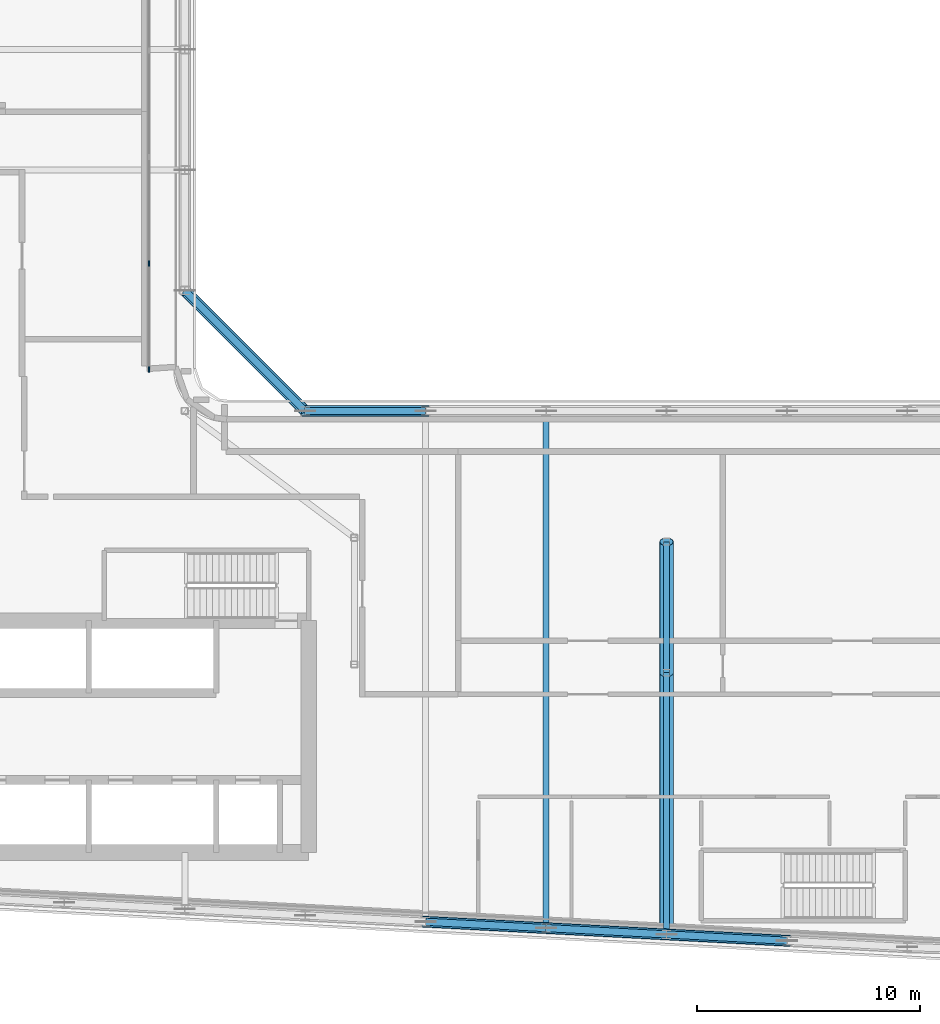
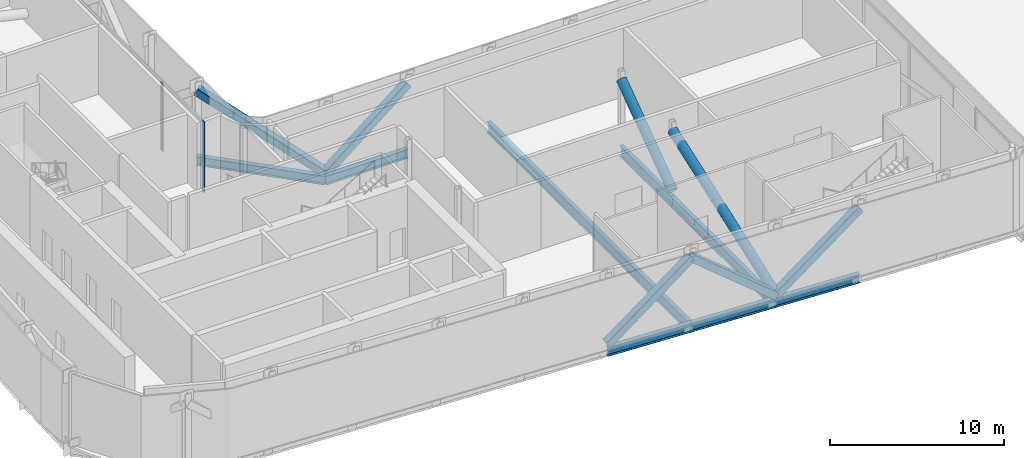
# One storey, part 4 of 23: 9 members, 8 beams, 1 element without a shape of its own.
"""IFC4 building model written with IfcOpenShell, lengths in metres."""

from ifc_helpers import new_model, si_unit, direction, frame, origin, origin_2d, place, context, subcontext, project, spatial, rectangle, hollow_rectangle, hollow_circle, i_section, extrude, material, layer, layer_set, material_profile, profile_set, type_object, element, aggregate, save


model = new_model("IFC4")

# Units and contexts
model_context = context("Model", 3, precision=1e-05, world=origin(), true_north=direction((0.0, 1.0)))
body_context = subcontext(model_context, "Body", "Model", "MODEL_VIEW")
ifc_project = project(units=[si_unit("LENGTHUNIT", "METRE"), si_unit("AREAUNIT", "SQUARE_METRE"), si_unit("VOLUMEUNIT", "CUBIC_METRE"), si_unit("PLANEANGLEUNIT", "RADIAN"), si_unit("MASSUNIT", "GRAM", prefix="KILO")], contexts=[model_context])

# Site, building, storey
site_placement = place(None, origin())
site = spatial("IfcSite", under=ifc_project, at=site_placement, CompositionType="ELEMENT")
building_placement = place(site_placement, origin())
building = spatial("IfcBuilding", under=site, at=building_placement, Name="Kheshtan School and Residences Tower", CompositionType="ELEMENT")
storey_placement = place(building_placement, frame((0.0, 0.0, 211.10009765625)))
storey = spatial("IfcBuildingStorey", under=building, at=storey_placement, Name="L49", CompositionType="ELEMENT", Elevation=211.10009765625)

# Beams
ifc_material_1 = material(Name="Steel ASTM A992 Grade 50", Category="steel")
ifc_material_profile_1 = material_profile(ifc_material_1, i_section(OverallWidth=0.264892578125, OverallDepth=0.7529296875, WebThickness=0.01318359375, FlangeThickness=0.01708984375, FilletRadius=0.015380859375, at=origin_2d()), Name="W760x147")
ifc_profile_set_1 = profile_set([ifc_material_profile_1], Name="Steel ASTM A992 Grade 50")
beam_type_1 = type_object("IfcBeamType", Name="Beam FB7 W760x147 ASTM A992 Grade 50", PredefinedType="BEAM", material=ifc_profile_set_1)
beam_1_placement = place(storey_placement, frame((63.800048828125, 45.60009765625, -0.526611328125), z_axis=(0.0, -1.0, 0.0), x_axis=(1.0, 0.0, 0.0)))
element("IfcBeam", 1, at=beam_1_placement, inside=storey, type_object=beam_type_1, Name="Floor beam C063", PredefinedType="BEAM", context=body_context, shape_type="SweptSolid", body=[
    extrude(i_section(OverallWidth=0.264892578125, OverallDepth=0.7529296875, WebThickness=0.01318359375, FlangeThickness=0.01708984375, FilletRadius=0.015380859375, at=origin_2d()), origin(), (0.0, 0.0, 1.0), 23.189208984375),
])
beam_2_placement = place(storey_placement, frame((69.199951171875, 22.126953125, -0.526611328125), z_axis=(0.0, 1.0, 0.0), x_axis=(-1.0, 0.0, 0.0)))
element("IfcBeam", 2, at=beam_2_placement, inside=storey, type_object=beam_type_1, Name="Floor beam C014", PredefinedType="BEAM", context=body_context, shape_type="SweptSolid", body=[
    extrude(i_section(OverallWidth=0.264892578125, OverallDepth=0.7529296875, WebThickness=0.01318359375, FlangeThickness=0.01708984375, FilletRadius=0.015380859375, at=origin_2d()), origin(), (0.0, 0.0, 1.0), 11.736083984375),
])
beam_3_placement = place(storey_placement, frame((69.199951171875, 33.863037109375, -0.526611328125), z_axis=(0.0, 1.0, 0.0), x_axis=(-1.0, 0.0, 0.0)))
element("IfcBeam", 3, at=beam_3_placement, inside=storey, type_object=beam_type_1, Name="Floor beam IC", PredefinedType="BEAM", context=body_context, shape_type="SweptSolid", body=[
    extrude(i_section(OverallWidth=0.264892578125, OverallDepth=0.7529296875, WebThickness=0.01318359375, FlangeThickness=0.01708984375, FilletRadius=0.015380859375, at=origin_2d()), origin(), (0.0, 0.0, 1.0), 5.868896484375),
])
ifc_material_profile_2 = material_profile(ifc_material_1, i_section(OverallWidth=0.324951171875, OverallDepth=0.615966796875, WebThickness=0.013916015625, FlangeThickness=0.021484375, FilletRadius=0.0185546875, at=origin_2d()), Name="W610x174")
ifc_profile_set_2 = profile_set([ifc_material_profile_2], Name="Steel ASTM A992 Grade 50")
beam_type_2 = type_object("IfcBeamType", Name="Beam SP5 W610x174 ASTM A992 Grade 50", PredefinedType="BEAM", material=ifc_profile_set_2)
beam_4_placement = place(storey_placement, frame((47.60009765625, 51.0, -0.4580078125), z_axis=(0.707106781187, -0.707106781187, 0.0), x_axis=(0.707106781187, 0.707106781187, 0.0)))
element("IfcBeam", 4, at=beam_4_placement, inside=storey, type_object=beam_type_2, Name="Spandrel beam C079-C061", PredefinedType="BEAM", context=body_context, shape_type="SweptSolid", body=[
    extrude(i_section(OverallWidth=0.324951171875, OverallDepth=0.615966796875, WebThickness=0.013916015625, FlangeThickness=0.021484375, FilletRadius=0.0185546875, at=origin_2d()), origin(), (0.0, 0.0, 1.0), 7.63671875),
])
beam_5_placement = place(storey_placement, frame((53.0, 45.60009765625, -0.4580078125), z_axis=(1.0, 0.0, 0.0), x_axis=(0.0, 1.0, 0.0)))
element("IfcBeam", 5, at=beam_5_placement, inside=storey, type_object=beam_type_2, Name="Spandrel beam C061-C062", PredefinedType="BEAM", context=body_context, shape_type="SweptSolid", body=[
    extrude(i_section(OverallWidth=0.324951171875, OverallDepth=0.615966796875, WebThickness=0.013916015625, FlangeThickness=0.021484375, FilletRadius=0.0185546875, at=origin_2d()), origin(), (0.0, 0.0, 1.0), 5.39990234375),
])
beam_6_placement = place(storey_placement, frame((74.60009765625, 21.843017578125, -0.4580078125), z_axis=(-0.998620571751, 0.05250670125, 0.0), x_axis=(-0.05250670125, -0.998620571751, 0.0)))
element("IfcBeam", 6, at=beam_6_placement, inside=storey, type_object=beam_type_2, Name="Spandrel beam C013-C014", PredefinedType="BEAM", context=body_context, shape_type="SweptSolid", body=[
    extrude(i_section(OverallWidth=0.324951171875, OverallDepth=0.615966796875, WebThickness=0.013916015625, FlangeThickness=0.021484375, FilletRadius=0.0185546875, at=origin_2d()), origin(), (0.0, 0.0, 1.0), 5.40771484375),
])
beam_7_placement = place(storey_placement, frame((69.199951171875, 22.126953125, -0.4580078125), z_axis=(-0.998620447272, 0.05250906864, 0.0), x_axis=(-0.05250906864, -0.998620447272, 0.0)))
element("IfcBeam", 7, at=beam_7_placement, inside=storey, type_object=beam_type_2, Name="Spandrel beam C014-C016", PredefinedType="BEAM", context=body_context, shape_type="SweptSolid", body=[
    extrude(i_section(OverallWidth=0.324951171875, OverallDepth=0.615966796875, WebThickness=0.013916015625, FlangeThickness=0.021484375, FilletRadius=0.0185546875, at=origin_2d()), origin(), (0.0, 0.0, 1.0), 5.407470703125),
])
beam_8_placement = place(storey_placement, frame((63.800048828125, 22.410888671875, -0.4580078125), z_axis=(-0.998618203458, 0.052551724256, 0.0), x_axis=(-0.052551724256, -0.998618203458, 0.0)))
element("IfcBeam", 8, at=beam_8_placement, inside=storey, type_object=beam_type_2, Name="Spandrel beam C016-C018", PredefinedType="BEAM", context=body_context, shape_type="SweptSolid", body=[
    extrude(i_section(OverallWidth=0.324951171875, OverallDepth=0.615966796875, WebThickness=0.013916015625, FlangeThickness=0.021484375, FilletRadius=0.0185546875, at=origin_2d()), origin(), (0.0, 0.0, 1.0), 5.40771484375),
])

# Curtain wall, members
ifc_material_2 = material(Name="Clear low-e glass in thermally broken aluminium frame", Category="aluminium")
ifc_layer = layer(ifc_material_2, 0.25)
ifc_layer_set = layer_set([ifc_layer], Name="Curtain wall CW-G")
curtain_wall_type = type_object("IfcCurtainWallType", Name="Curtain wall CW-G", PredefinedType="NOTDEFINED", material=ifc_layer_set)
curtain_wall_placement = place(storey_placement, origin())
curtain_wall = element("IfcCurtainWall", 9, at=curtain_wall_placement, inside=storey, type_object=curtain_wall_type, Name="Curtain wall CWG19a", PredefinedType="NOTDEFINED")
ifc_material_3 = material(Name="Thermally broken aluminium, dark bronze anodised", Category="aluminium")
ifc_material_profile_3 = material_profile(ifc_material_3, rectangle(XDim=0.06005859375, YDim=0.25, at=origin_2d()), Name="CW-G mullion 60x250")
ifc_profile_set_3 = profile_set([ifc_material_profile_3], Name="Thermally broken aluminium, dark bronze anodised")
member_type_1 = type_object("IfcMemberType", Name="CW-G mullion 60x250", PredefinedType="MULLION", material=ifc_profile_set_3)
member_1_placement = place(storey_placement, frame((46.0, 52.2041015625, 0.0), z_axis=(0.0, 0.0, 1.0), x_axis=(1.0, 0.0, 0.0)))
member_1 = element("IfcMember", 10, at=member_1_placement, type_object=member_type_1, Name="CWG19a mullion 5", PredefinedType="MULLION", context=body_context, shape_type="SweptSolid", body=[
    extrude(rectangle(XDim=0.06005859375, YDim=0.25, at=origin_2d()), origin(), (0.0, 0.0, 1.0), 4.789794921875),
])
member_2_placement = place(storey_placement, frame((46.0, 47.4599609375, 0.0), z_axis=(0.0, 0.0, 1.0), x_axis=(1.0, 0.0, 0.0)))
member_2 = element("IfcMember", 11, at=member_2_placement, type_object=member_type_1, Name="CWG19a mullion 6", PredefinedType="MULLION", context=body_context, shape_type="SweptSolid", body=[
    extrude(rectangle(XDim=0.06005859375, YDim=0.25, at=origin_2d()), origin(), (0.0, 0.0, 1.0), 4.949951171875),
])
aggregate(curtain_wall, [member_1, member_2])

# Members
ifc_material_4 = material(Name="Steel ASTM A500 Grade C", Category="steel")
ifc_material_profile_4 = material_profile(ifc_material_4, hollow_rectangle(XDim=0.508056640625, YDim=0.508056640625, WallThickness=0.01904296875, InnerFilletRadius=0.01904296875, OuterFilletRadius=0.0380859375, at=origin_2d()), Name="HSS 508x508x19")
ifc_profile_set_4 = profile_set([ifc_material_profile_4], Name="Steel ASTM A500 Grade C")
member_type_2 = type_object("IfcMemberType", Name="Member BT2 HSS 508x508x19 ASTM A500 Grade C", PredefinedType="BRACE", material=ifc_profile_set_4)
member_3_placement = place(storey_placement, frame((53.0, 45.60009765625, 0.0498046875), z_axis=(-0.613822597535, 0.613822597535, 0.496430899028), x_axis=(-0.707106781187, -0.707106781187, 0.0)))
element("IfcMember", 12, at=member_3_placement, inside=storey, type_object=member_type_2, Name="Belt truss diagonal C079-C061", PredefinedType="BRACE", context=body_context, shape_type="SweptSolid", body=[
    extrude(hollow_rectangle(XDim=0.508056640625, YDim=0.508056640625, WallThickness=0.01904296875, InnerFilletRadius=0.01904296875, OuterFilletRadius=0.0380859375, at=origin_2d()), origin(), (0.0, 0.0, 1.0), 8.797119140625),
])
member_4_placement = place(storey_placement, frame((53.0, 45.60009765625, 0.0498046875), z_axis=(0.777537865444, 0.0, 0.628836121578), x_axis=(0.0, 1.0, 0.0)))
element("IfcMember", 13, at=member_4_placement, inside=storey, type_object=member_type_2, Name="Belt truss diagonal C061-C062", PredefinedType="BRACE", context=body_context, shape_type="SweptSolid", body=[
    extrude(hollow_rectangle(XDim=0.508056640625, YDim=0.508056640625, WallThickness=0.01904296875, InnerFilletRadius=0.01904296875, OuterFilletRadius=0.0380859375, at=origin_2d()), origin(), (0.0, 0.0, 1.0), 6.94482421875),
])
member_5_placement = place(storey_placement, frame((69.199951171875, 22.126953125, 0.0498046875), z_axis=(0.776902769467, -0.040848949812, 0.628294079308), x_axis=(0.05250670125, 0.998620571751, 0.0)))
element("IfcMember", 14, at=member_5_placement, inside=storey, type_object=member_type_2, Name="Belt truss diagonal C013-C014", PredefinedType="BRACE", context=body_context, shape_type="SweptSolid", body=[
    extrude(hollow_rectangle(XDim=0.508056640625, YDim=0.508056640625, WallThickness=0.01904296875, InnerFilletRadius=0.01904296875, OuterFilletRadius=0.0380859375, at=origin_2d()), origin(), (0.0, 0.0, 1.0), 6.950927734375),
])
member_6_placement = place(storey_placement, frame((69.199951171875, 22.126953125, 0.0498046875), z_axis=(-0.776888845057, 0.040850064509, 0.628311224359), x_axis=(-0.05250906864, -0.998620447272, 0.0)))
element("IfcMember", 15, at=member_6_placement, inside=storey, type_object=member_type_2, Name="Belt truss diagonal C014-C016", PredefinedType="BRACE", context=body_context, shape_type="SweptSolid", body=[
    extrude(hollow_rectangle(XDim=0.508056640625, YDim=0.508056640625, WallThickness=0.01904296875, InnerFilletRadius=0.01904296875, OuterFilletRadius=0.0380859375, at=origin_2d()), origin(), (0.0, 0.0, 1.0), 6.95068359375),
])
member_7_placement = place(storey_placement, frame((58.39990234375, 22.695068359375, 0.0498046875), z_axis=(0.776901654314, -0.040884014902, 0.628293177466), x_axis=(0.052551724256, 0.998618203458, 0.0)))
element("IfcMember", 16, at=member_7_placement, inside=storey, type_object=member_type_2, Name="Belt truss diagonal C016-C018", PredefinedType="BRACE", context=body_context, shape_type="SweptSolid", body=[
    extrude(hollow_rectangle(XDim=0.508056640625, YDim=0.508056640625, WallThickness=0.01904296875, InnerFilletRadius=0.01904296875, OuterFilletRadius=0.0380859375, at=origin_2d()), origin(), (0.0, 0.0, 1.0), 6.950927734375),
])
ifc_material_profile_5 = material_profile(ifc_material_4, hollow_circle(Radius=0.3046875, WallThickness=0.01904296875, at=origin_2d()), Name="HSS 610x19")
ifc_profile_set_5 = profile_set([ifc_material_profile_5], Name="Steel ASTM A500 Grade C")
member_type_3 = type_object("IfcMemberType", Name="Member OR1 HSS 610x19 ASTM A500 Grade C", PredefinedType="BRACE", material=ifc_profile_set_5)
member_8_placement = place(storey_placement, frame((69.199951171875, 22.126953125, 0.199951171875), z_axis=(0.0, 0.941090389642, 0.338155110155), x_axis=(-1.0, 0.0, 0.0)))
element("IfcMember", 17, at=member_8_placement, inside=storey, type_object=member_type_3, Name="Outrigger arm 2", PredefinedType="BRACE", context=body_context, shape_type="SweptSolid", body=[
    extrude(hollow_circle(Radius=0.3046875, WallThickness=0.01904296875, at=origin_2d()), origin(), (0.0, 0.0, 1.0), 12.470703125),
])
member_9_placement = place(storey_placement, frame((69.199951171875, 33.863037109375, 0.199951171875), z_axis=(0.0, 0.812095915026, 0.583523971057), x_axis=(-1.0, 0.0, 0.0)))
element("IfcMember", 18, at=member_9_placement, inside=storey, type_object=member_type_3, Name="Outrigger arm 4", PredefinedType="BRACE", context=body_context, shape_type="SweptSolid", body=[
    extrude(hollow_circle(Radius=0.3046875, WallThickness=0.01904296875, at=origin_2d()), origin(), (0.0, 0.0, 1.0), 7.226806640625),
])

save(model, "model.ifc")
